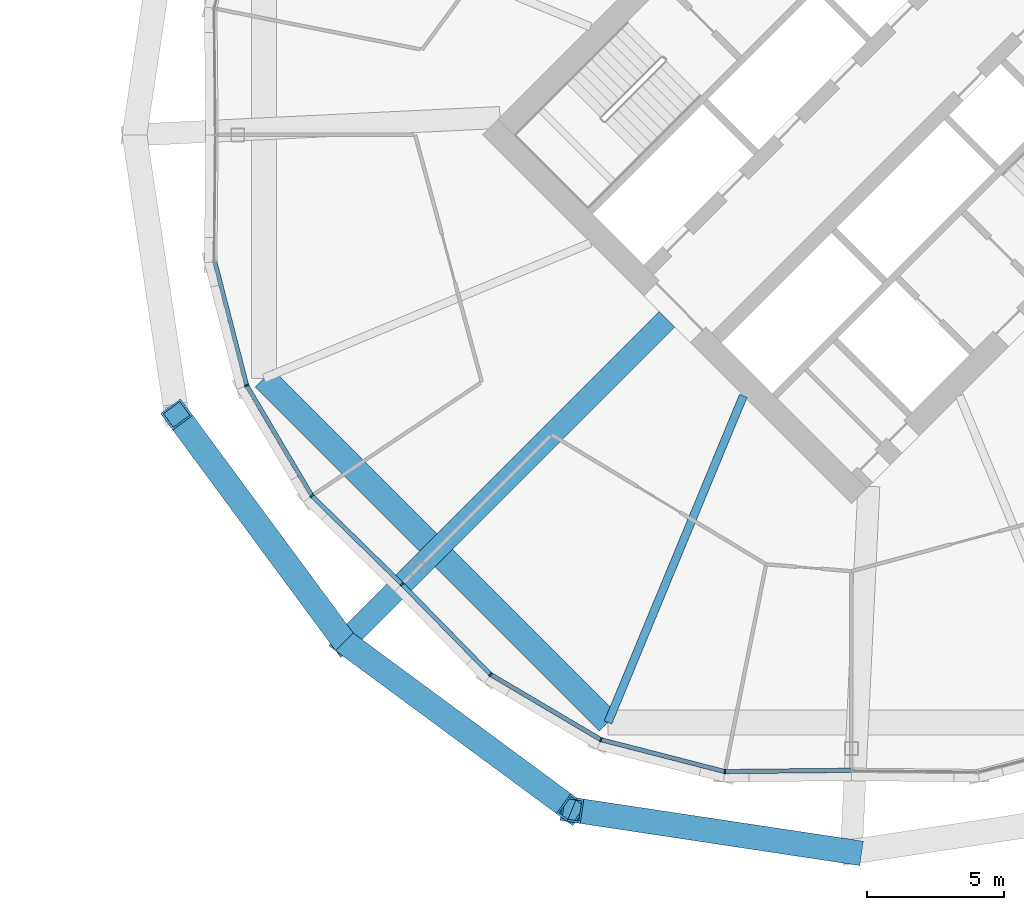
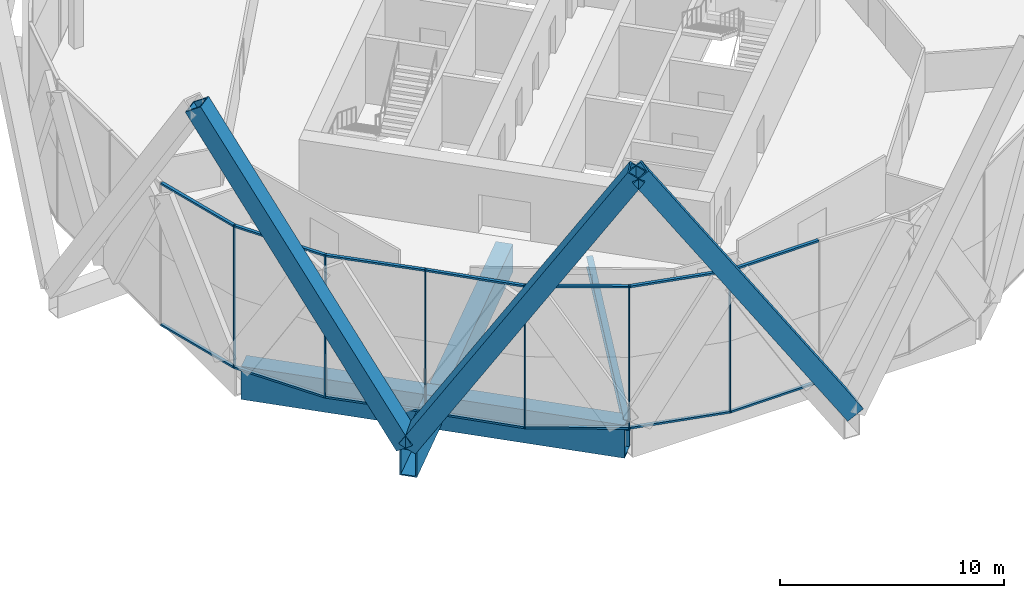
# One storey, part 11 of 28: 23 members, 3 beams, 2 elements without a shape of their own.
"""IFC4 building model written with IfcOpenShell, lengths in metres."""

from ifc_helpers import new_model, si_unit, direction, frame, origin, origin_2d, place, context, subcontext, project, spatial, rectangle, hollow_rectangle, i_section, extrude, material, material_profile, profile_set, type_object, element, aggregate, save


model = new_model("IFC4")

# Units and contexts
model_context = context("Model", 3, precision=1e-05, world=origin(), true_north=direction((0.0, 1.0)))
body_context = subcontext(model_context, "Body", "Model", "MODEL_VIEW")
ifc_project = project(units=[si_unit("LENGTHUNIT", "METRE"), si_unit("AREAUNIT", "SQUARE_METRE"), si_unit("VOLUMEUNIT", "CUBIC_METRE"), si_unit("PLANEANGLEUNIT", "RADIAN"), si_unit("MASSUNIT", "GRAM", prefix="KILO")], contexts=[model_context])

# Site, building, storey
site_placement = place(None, origin())
site = spatial("IfcSite", under=ifc_project, at=site_placement, CompositionType="ELEMENT")
building_placement = place(site_placement, origin())
building = spatial("IfcBuilding", under=site, at=building_placement, Name="Ogive Gate Towers", CompositionType="ELEMENT")
storey_placement = place(building_placement, frame((0.0, 0.0, 115.199951171875)))
storey = spatial("IfcBuildingStorey", under=building, at=storey_placement, Name="L27", CompositionType="ELEMENT", Elevation=115.199951171875)

# Members
ifc_material_1 = material(Name="Steel SM460", Category="steel")
ifc_material_profile_1 = material_profile(ifc_material_1, hollow_rectangle(XDim=0.89990234375, YDim=0.89990234375, WallThickness=0.080078125, at=origin_2d()), Name="BX 900x900x80")
ifc_profile_set_1 = profile_set([ifc_material_profile_1], Name="Steel SM460")
member_type_1 = type_object("IfcMemberType", Name="Diagrid diagonal BX 900x900x80", PredefinedType="BRACE", material=ifc_profile_set_1)
for number, where, z_axis, x_axis, name in (
    (1, (17.537353515625, -18.462646484375, 0.0), (-0.327039025082, 0.443175302272, 0.83465030254), (-0.804631811944, -0.593774070845, 0.0), "T2/L27/SDG011"),
    (2, (17.537353515625, -18.462646484375, 0.0), (0.443175302272, -0.327039025082, 0.83465030254), (0.593774070845, 0.804631811944, 0.0), "T2/L27/SDG012"),
    (3, (36.0, -26.110107421875, 0.0), (-0.544627829519, 0.082121961007, 0.834647536889), (-0.149100004323, -0.988822121876, 0.0), "T2/L27/SDG013"),
):
    element("IfcMember", number, at=place(storey_placement, frame(where, z_axis=z_axis, x_axis=x_axis)), inside=storey, type_object=member_type_1, Name=name, PredefinedType="BRACE", context=body_context, shape_type="SweptSolid", body=[
        extrude(hollow_rectangle(XDim=0.89990234375, YDim=0.89990234375, WallThickness=0.080078125, at=origin_2d()), origin(), (0.0, 0.0, 1.0), 18.690673828125),
    ])

# Beams
ifc_material_profile_2 = material_profile(ifc_material_1, hollow_rectangle(XDim=0.89990234375, YDim=1.800048828125, WallThickness=0.080078125, at=origin_2d()), Name="BX 1800x900x80")
ifc_profile_set_2 = profile_set([ifc_material_profile_2], Name="Steel SM460")
beam_type_1 = type_object("IfcBeamType", Name="Edge girder BX 1800x900x80", PredefinedType="BEAM", material=ifc_profile_set_2)
beam_1_placement = place(storey_placement, frame((14.60302734375, -8.863037109375, -1.199951171875), z_axis=(0.707106781187, -0.707106781187, 0.0), x_axis=(0.707106781187, 0.707106781187, 0.0)))
element("IfcBeam", 4, at=beam_1_placement, inside=storey, type_object=beam_type_1, Name="T2/L27/SBM017", PredefinedType="BEAM", context=body_context, shape_type="SweptSolid", body=[
    extrude(hollow_rectangle(XDim=0.89990234375, YDim=1.800048828125, WallThickness=0.080078125, at=origin_2d()), origin(), (0.0, 0.0, 1.0), 17.7255859375),
])
ifc_material_2 = material(Name="Steel SM355", Category="steel")
ifc_material_profile_3 = material_profile(ifc_material_2, i_section(OverallWidth=0.300048828125, OverallDepth=0.590087890625, WebThickness=0.012939453125, FlangeThickness=0.02490234375, FilletRadius=0.027099609375, at=origin_2d()), Name="HE 600 A")
ifc_profile_set_3 = profile_set([ifc_material_profile_3], Name="Steel SM355")
beam_type_2 = type_object("IfcBeamType", Name="Radial floor beam HE 600 A", PredefinedType="BEAM", material=ifc_profile_set_3)
beam_2_placement = place(storey_placement, frame((32.06494140625, -9.5, -0.594970703125), z_axis=(-0.382689470177, -0.923877031545, 0.0), x_axis=(0.923877031545, -0.382689470177, 0.0)))
element("IfcBeam", 5, at=beam_2_placement, inside=storey, type_object=beam_type_2, Name="T2/L27/SBM003", PredefinedType="BEAM", context=body_context, shape_type="SweptSolid", body=[
    extrude(i_section(OverallWidth=0.300048828125, OverallDepth=0.590087890625, WebThickness=0.012939453125, FlangeThickness=0.02490234375, FilletRadius=0.027099609375, at=origin_2d()), origin(), (0.0, 0.0, 1.0), 12.877197265625),
])

# Curtain wall, members
ifc_material_3 = material(Name="Pale metal aluminium", Category="aluminium")
curtain_wall_type = type_object("IfcCurtainWallType", Name="Tower unitised wall, low zone", PredefinedType="NOTDEFINED", material=ifc_material_3)
curtain_wall_1_placement = place(storey_placement, origin())
curtain_wall_1 = element("IfcCurtainWall", 6, at=curtain_wall_1_placement, inside=storey, type_object=curtain_wall_type, Name="CW1 T2 ECW05", PredefinedType="NOTDEFINED")
ifc_material_profile_4 = material_profile(ifc_material_3, rectangle(XDim=0.159912109375, YDim=0.06005859375, at=origin_2d()), Name="60 x 160 aluminium box")
ifc_profile_set_4 = profile_set([ifc_material_profile_4], Name="Pale metal aluminium")
member_type_2 = type_object("IfcMemberType", Name="Tower unitised wall, low zone mullion 60 x 160", PredefinedType="MULLION", material=ifc_profile_set_4)
member_1_placement = place(storey_placement, frame((13.973876953125, -9.12353515625, -0.300048828125), z_axis=(0.0, 0.0, 1.0), x_axis=(-0.923879532511, -0.382683432365, 0.0)))
member_1 = element("IfcMember", 7, at=member_1_placement, type_object=member_type_2, Name="CW1 mullion", PredefinedType="MULLION", context=body_context, shape_type="SweptSolid", body=[
    extrude(rectangle(XDim=0.159912109375, YDim=0.06005859375, at=origin_2d()), origin(), (0.0, 0.0, 1.0), 7.800048828125),
])
member_2_placement = place(storey_placement, frame((16.346923828125, -13.13916015625, -0.300048828125), z_axis=(0.0, 0.0, 1.0), x_axis=(-0.787085768775, -0.616843572223, 0.0)))
member_2 = element("IfcMember", 8, at=member_2_placement, type_object=member_type_2, Name="CW1 mullion", PredefinedType="MULLION", context=body_context, shape_type="SweptSolid", body=[
    extrude(rectangle(XDim=0.159912109375, YDim=0.06005859375, at=origin_2d()), origin(), (0.0, 0.0, 1.0), 7.800048828125),
])
member_3_placement = place(storey_placement, frame((19.637451171875, -16.3623046875, -0.300048828125), z_axis=(0.0, 0.0, 1.0), x_axis=(-0.699788028863, -0.714350554462, 0.0)))
member_3 = element("IfcMember", 9, at=member_3_placement, type_object=member_type_2, Name="CW1 mullion", PredefinedType="MULLION", context=body_context, shape_type="SweptSolid", body=[
    extrude(rectangle(XDim=0.159912109375, YDim=0.06005859375, at=origin_2d()), origin(), (0.0, 0.0, 1.0), 7.800048828125),
])

curtain_wall_2_placement = place(storey_placement, origin())
curtain_wall_2 = element("IfcCurtainWall", 10, at=curtain_wall_2_placement, inside=storey, type_object=curtain_wall_type, Name="CW1 T2 ECW06", PredefinedType="NOTDEFINED")
member_4_placement = place(storey_placement, frame((22.86083984375, -19.653076171875, -0.300048828125), z_axis=(0.0, 0.0, 1.0), x_axis=(-0.616843572223, -0.787085768775, 0.0)))
member_4 = element("IfcMember", 11, at=member_4_placement, type_object=member_type_2, Name="CW1 mullion", PredefinedType="MULLION", context=body_context, shape_type="SweptSolid", body=[
    extrude(rectangle(XDim=0.159912109375, YDim=0.06005859375, at=origin_2d()), origin(), (0.0, 0.0, 1.0), 7.800048828125),
])
member_5_placement = place(storey_placement, frame((26.87646484375, -22.026123046875, -0.300048828125), z_axis=(0.0, 0.0, 1.0), x_axis=(-0.382683432365, -0.923879532511, 0.0)))
member_5 = element("IfcMember", 12, at=member_5_placement, type_object=member_type_2, Name="CW1 mullion", PredefinedType="MULLION", context=body_context, shape_type="SweptSolid", body=[
    extrude(rectangle(XDim=0.159912109375, YDim=0.06005859375, at=origin_2d()), origin(), (0.0, 0.0, 1.0), 7.800048828125),
])
member_6_placement = place(storey_placement, frame((31.393798828125, -23.1875, -0.300048828125), z_axis=(0.0, 0.0, 1.0), x_axis=(-0.120379411626, -0.992727957326, 0.0)))
member_6 = element("IfcMember", 13, at=member_6_placement, type_object=member_type_2, Name="CW1 mullion", PredefinedType="MULLION", context=body_context, shape_type="SweptSolid", body=[
    extrude(rectangle(XDim=0.159912109375, YDim=0.06005859375, at=origin_2d()), origin(), (0.0, 0.0, 1.0), 7.800048828125),
])

# Member
ifc_material_profile_5 = material_profile(ifc_material_3, rectangle(XDim=0.159912109375, YDim=0.10009765625, at=origin_2d()), Name="100 x 160 aluminium box")
ifc_profile_set_5 = profile_set([ifc_material_profile_5], Name="Pale metal aluminium")
member_type_3 = type_object("IfcMemberType", Name="Tower unitised wall, low zone transom 100 x 160", PredefinedType="USERDEFINED", material=ifc_profile_set_5)
member_7_placement = place(storey_placement, frame((12.8193359375, -4.632568359375, 7.449951171875), z_axis=(0.249022588577, -0.968497677012, 0.0), x_axis=(0.968497677012, 0.249022588577, 0.0)))
member_7 = element("IfcMember", 14, at=member_7_placement, type_object=member_type_3, Name="CW1 transom", ObjectType="TRANSOM", PredefinedType="USERDEFINED", context=body_context, shape_type="SweptSolid", body=[
    extrude(rectangle(XDim=0.159912109375, YDim=0.10009765625, at=origin_2d()), origin(), (0.0, 0.0, 1.0), 4.60986328125),
])

member_8_placement = place(storey_placement, frame((12.8193359375, -4.632568359375, -0.25), z_axis=(0.249022588577, -0.968497677012, 0.0), x_axis=(0.968497677012, 0.249022588577, 0.0)))
member_8 = element("IfcMember", 15, at=member_8_placement, type_object=member_type_3, Name="CW1 transom", ObjectType="TRANSOM", PredefinedType="USERDEFINED", context=body_context, shape_type="SweptSolid", body=[
    extrude(rectangle(XDim=0.159912109375, YDim=0.10009765625, at=origin_2d()), origin(), (0.0, 0.0, 1.0), 4.60986328125),
])

member_9_placement = place(storey_placement, frame((13.98779296875, -9.14697265625, 7.449951171875), z_axis=(0.508798898164, -0.860885405398, 0.0), x_axis=(0.860885405398, 0.508798898164, 0.0)))
member_9 = element("IfcMember", 16, at=member_9_placement, type_object=member_type_3, Name="CW1 transom", ObjectType="TRANSOM", PredefinedType="USERDEFINED", context=body_context, shape_type="SweptSolid", body=[
    extrude(rectangle(XDim=0.159912109375, YDim=0.10009765625, at=origin_2d()), origin(), (0.0, 0.0, 1.0), 4.60986328125),
])

member_10_placement = place(storey_placement, frame((13.98779296875, -9.14697265625, -0.25), z_axis=(0.508798898164, -0.860885405398, 0.0), x_axis=(0.860885405398, 0.508798898164, 0.0)))
member_10 = element("IfcMember", 17, at=member_10_placement, type_object=member_type_3, Name="CW1 transom", ObjectType="TRANSOM", PredefinedType="USERDEFINED", context=body_context, shape_type="SweptSolid", body=[
    extrude(rectangle(XDim=0.159912109375, YDim=0.10009765625, at=origin_2d()), origin(), (0.0, 0.0, 1.0), 4.60986328125),
])

member_11_placement = place(storey_placement, frame((16.36669921875, -13.158203125, 7.449951171875), z_axis=(0.714342153972, -0.699796604064, 0.0), x_axis=(0.699796604064, 0.714342153972, 0.0)))
member_11 = element("IfcMember", 18, at=member_11_placement, type_object=member_type_3, Name="CW1 transom", ObjectType="TRANSOM", PredefinedType="USERDEFINED", context=body_context, shape_type="SweptSolid", body=[
    extrude(rectangle(XDim=0.159912109375, YDim=0.10009765625, at=origin_2d()), origin(), (0.0, 0.0, 1.0), 4.548583984375),
])

member_12_placement = place(storey_placement, frame((16.36669921875, -13.158203125, -0.25), z_axis=(0.714342153972, -0.699796604064, 0.0), x_axis=(0.699796604064, 0.714342153972, 0.0)))
member_12 = element("IfcMember", 19, at=member_12_placement, type_object=member_type_3, Name="CW1 transom", ObjectType="TRANSOM", PredefinedType="USERDEFINED", context=body_context, shape_type="SweptSolid", body=[
    extrude(rectangle(XDim=0.159912109375, YDim=0.10009765625, at=origin_2d()), origin(), (0.0, 0.0, 1.0), 4.548583984375),
])

aggregate(curtain_wall_1, [member_1, member_7, member_8, member_2, member_9, member_10, member_3, member_11, member_12])

member_13_placement = place(storey_placement, frame((19.65869140625, -16.384033203125, 7.449951171875), z_axis=(0.699796604064, -0.714342153972, 0.0), x_axis=(0.714342153972, 0.699796604064, 0.0)))
member_13 = element("IfcMember", 20, at=member_13_placement, type_object=member_type_3, Name="CW1 transom", ObjectType="TRANSOM", PredefinedType="USERDEFINED", context=body_context, shape_type="SweptSolid", body=[
    extrude(rectangle(XDim=0.159912109375, YDim=0.10009765625, at=origin_2d()), origin(), (0.0, 0.0, 1.0), 4.548583984375),
])

member_14_placement = place(storey_placement, frame((19.65869140625, -16.384033203125, -0.25), z_axis=(0.699796604064, -0.714342153972, 0.0), x_axis=(0.714342153972, 0.699796604064, 0.0)))
member_14 = element("IfcMember", 21, at=member_14_placement, type_object=member_type_3, Name="CW1 transom", ObjectType="TRANSOM", PredefinedType="USERDEFINED", context=body_context, shape_type="SweptSolid", body=[
    extrude(rectangle(XDim=0.159912109375, YDim=0.10009765625, at=origin_2d()), origin(), (0.0, 0.0, 1.0), 4.548583984375),
])

member_15_placement = place(storey_placement, frame((22.884521484375, -19.666748046875, 7.449951171875), z_axis=(0.860885405398, -0.508798898164, 0.0), x_axis=(0.508798898164, 0.860885405398, 0.0)))
member_15 = element("IfcMember", 22, at=member_15_placement, type_object=member_type_3, Name="CW1 transom", ObjectType="TRANSOM", PredefinedType="USERDEFINED", context=body_context, shape_type="SweptSolid", body=[
    extrude(rectangle(XDim=0.159912109375, YDim=0.10009765625, at=origin_2d()), origin(), (0.0, 0.0, 1.0), 4.60986328125),
])

member_16_placement = place(storey_placement, frame((22.884521484375, -19.666748046875, -0.25), z_axis=(0.860885405398, -0.508798898164, 0.0), x_axis=(0.508798898164, 0.860885405398, 0.0)))
member_16 = element("IfcMember", 23, at=member_16_placement, type_object=member_type_3, Name="CW1 transom", ObjectType="TRANSOM", PredefinedType="USERDEFINED", context=body_context, shape_type="SweptSolid", body=[
    extrude(rectangle(XDim=0.159912109375, YDim=0.10009765625, at=origin_2d()), origin(), (0.0, 0.0, 1.0), 4.60986328125),
])

member_17_placement = place(storey_placement, frame((26.90283203125, -22.03271484375, 7.449951171875), z_axis=(0.968497677012, -0.249022588577, 0.0), x_axis=(0.249022588577, 0.968497677012, 0.0)))
member_17 = element("IfcMember", 24, at=member_17_placement, type_object=member_type_3, Name="CW1 transom", ObjectType="TRANSOM", PredefinedType="USERDEFINED", context=body_context, shape_type="SweptSolid", body=[
    extrude(rectangle(XDim=0.159912109375, YDim=0.10009765625, at=origin_2d()), origin(), (0.0, 0.0, 1.0), 4.60986328125),
])

member_18_placement = place(storey_placement, frame((26.90283203125, -22.03271484375, -0.25), z_axis=(0.968497677012, -0.249022588577, 0.0), x_axis=(0.249022588577, 0.968497677012, 0.0)))
member_18 = element("IfcMember", 25, at=member_18_placement, type_object=member_type_3, Name="CW1 transom", ObjectType="TRANSOM", PredefinedType="USERDEFINED", context=body_context, shape_type="SweptSolid", body=[
    extrude(rectangle(XDim=0.159912109375, YDim=0.10009765625, at=origin_2d()), origin(), (0.0, 0.0, 1.0), 4.60986328125),
])

member_19_placement = place(storey_placement, frame((31.42138671875, -23.18701171875, 7.449951171875), z_axis=(0.999947449507, 0.010251742504, 0.0), x_axis=(-0.010251742504, 0.999947449507, 0.0)))
member_19 = element("IfcMember", 26, at=member_19_placement, type_object=member_type_3, Name="CW1 transom", ObjectType="TRANSOM", PredefinedType="USERDEFINED", context=body_context, shape_type="SweptSolid", body=[
    extrude(rectangle(XDim=0.159912109375, YDim=0.10009765625, at=origin_2d()), origin(), (0.0, 0.0, 1.0), 4.548583984375),
])

member_20_placement = place(storey_placement, frame((31.42138671875, -23.18701171875, -0.25), z_axis=(0.999947449507, 0.010251742504, 0.0), x_axis=(-0.010251742504, 0.999947449507, 0.0)))
member_20 = element("IfcMember", 27, at=member_20_placement, type_object=member_type_3, Name="CW1 transom", ObjectType="TRANSOM", PredefinedType="USERDEFINED", context=body_context, shape_type="SweptSolid", body=[
    extrude(rectangle(XDim=0.159912109375, YDim=0.10009765625, at=origin_2d()), origin(), (0.0, 0.0, 1.0), 4.548583984375),
])

aggregate(curtain_wall_2, [member_4, member_13, member_14, member_5, member_15, member_16, member_6, member_17, member_18, member_19, member_20])

# Beam
ifc_material_profile_6 = material_profile(ifc_material_1, hollow_rectangle(XDim=0.800048828125, YDim=1.5, WallThickness=0.06005859375, at=origin_2d()), Name="BX 1500x800x60")
ifc_profile_set_6 = profile_set([ifc_material_profile_6], Name="Steel SM460")
beam_type_3 = type_object("IfcBeamType", Name="Transfer radial beam BX 1500x800x60", PredefinedType="BEAM", material=ifc_profile_set_6)
beam_3_placement = place(storey_placement, frame((29.282470703125, -6.717529296875, -1.050048828125), z_axis=(-0.707106781187, -0.707106781187, 0.0), x_axis=(0.707106781187, -0.707106781187, 0.0)))
element("IfcBeam", 28, at=beam_3_placement, inside=storey, type_object=beam_type_3, Name="T2/L27/SBM002", PredefinedType="BEAM", context=body_context, shape_type="SweptSolid", body=[
    extrude(hollow_rectangle(XDim=0.800048828125, YDim=1.5, WallThickness=0.06005859375, at=origin_2d()), origin(), (0.0, 0.0, 1.0), 16.610107421875),
])

save(model, "model.ifc")
